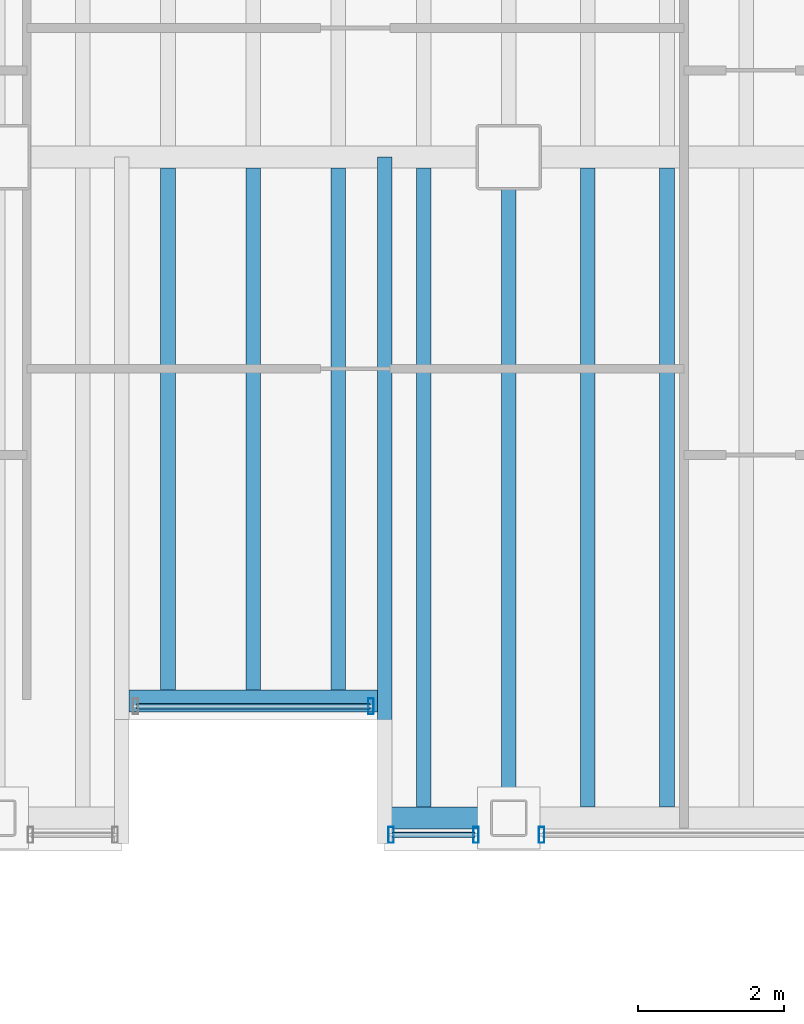
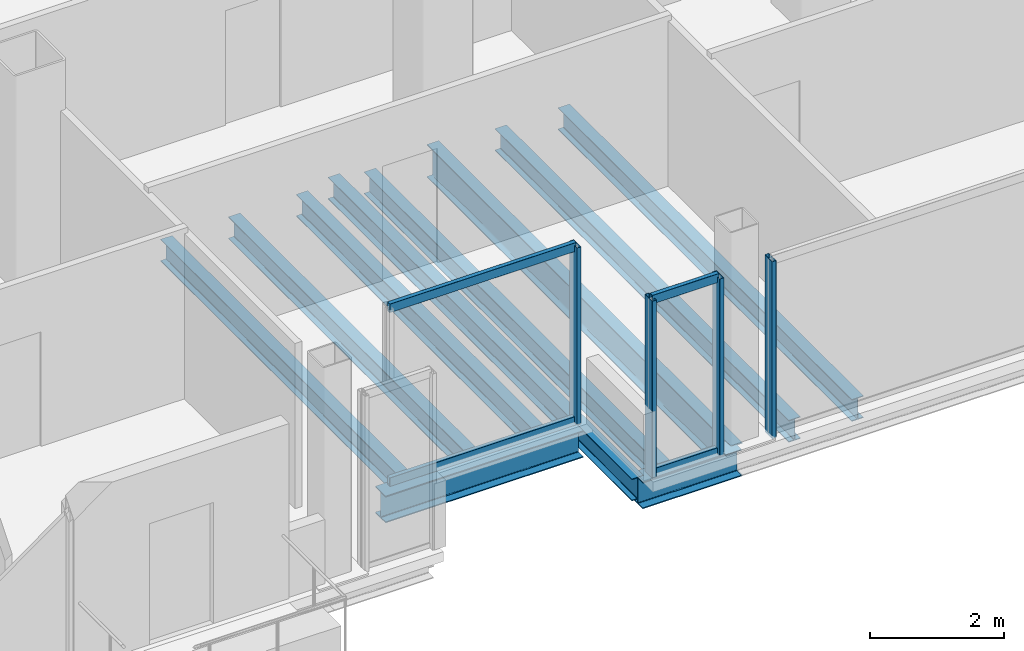
# One storey, part 6 of 22: 10 beams, 8 members, 3 elements without a shape of their own.
"""IFC4 building model written with IfcOpenShell, lengths in metres."""

from ifc_helpers import new_model, si_unit, direction, frame, origin, origin_2d, place, context, subcontext, project, spatial, hollow_rectangle, i_section, extrude, material, material_profile, profile_set, type_object, element, aggregate, save


model = new_model("IFC4")

# Units and contexts
model_context = context("Model", 3, precision=1e-05, world=origin(), true_north=direction((0.0, 1.0)))
body_context = subcontext(model_context, "Body", "Model", "MODEL_VIEW")
ifc_project = project(units=[si_unit("LENGTHUNIT", "METRE"), si_unit("AREAUNIT", "SQUARE_METRE"), si_unit("VOLUMEUNIT", "CUBIC_METRE"), si_unit("PLANEANGLEUNIT", "RADIAN"), si_unit("MASSUNIT", "GRAM", prefix="KILO")], contexts=[model_context])

# Site, building, storey
site_placement = place(None, origin())
site = spatial("IfcSite", under=ifc_project, at=site_placement, CompositionType="ELEMENT")
building_placement = place(site_placement, origin())
building = spatial("IfcBuilding", under=site, at=building_placement, Name="Noeulbin Bourse Tower", CompositionType="ELEMENT")
storey_placement = place(building_placement, frame((0.0, 0.0, 130.5)))
storey = spatial("IfcBuildingStorey", under=building, at=storey_placement, Name="L32", CompositionType="ELEMENT", Elevation=130.5)

# Beams
ifc_material_1 = material(Name="Steel S355", Category="steel")
ifc_material_profile_1 = material_profile(ifc_material_1, i_section(OverallWidth=0.199951171875, OverallDepth=0.60009765625, WebThickness=0.010986328125, FlangeThickness=0.01708984375, FilletRadius=0.02197265625, at=origin_2d()), Name="H-600x200x11x17", Category="LoadBearing")
ifc_profile_set_1 = profile_set([ifc_material_profile_1], Name="Steel S355")
beam_type_1 = type_object("IfcBeamType", Name="BM-GRD-600", PredefinedType="USERDEFINED", material=ifc_profile_set_1)
beam_1_placement = place(storey_placement, frame((31.0, 10.949951171875, -0.47998046875), z_axis=(0.0, 1.0, 0.0), x_axis=(-1.0, 0.0, 0.0)))
element("IfcBeam", 1, at=beam_1_placement, inside=storey, type_object=beam_type_1, Name="Tower Primary Girder NS L32-3.1", ObjectType="GIRDER", PredefinedType="USERDEFINED", context=body_context, shape_type="SweptSolid", body=[
    extrude(i_section(OverallWidth=0.199951171875, OverallDepth=0.60009765625, WebThickness=0.010986328125, FlangeThickness=0.01708984375, FilletRadius=0.02197265625, at=origin_2d()), origin(), (0.0, 0.0, 1.0), 9.050048828125),
])
ifc_material_profile_2 = material_profile(ifc_material_1, i_section(OverallWidth=0.199951171875, OverallDepth=0.39990234375, WebThickness=0.008056640625, FlangeThickness=0.012939453125, FilletRadius=0.01611328125, at=origin_2d()), Name="H-400x200x8x13", Category="LoadBearing")
ifc_profile_set_2 = profile_set([ifc_material_profile_2], Name="Steel S355")
beam_type_2 = type_object("IfcBeamType", Name="BM-SEC-400", PredefinedType="BEAM", material=ifc_profile_set_2)
beam_2_placement = place(storey_placement, frame((29.300048828125, 10.949951171875, -0.3798828125), z_axis=(0.0, 1.0, 0.0), x_axis=(-1.0, 0.0, 0.0)))
element("IfcBeam", 2, at=beam_2_placement, inside=storey, type_object=beam_type_2, Name="BM-L32-SRT-E", PredefinedType="BEAM", context=body_context, shape_type="SweptSolid", body=[
    extrude(i_section(OverallWidth=0.199951171875, OverallDepth=0.39990234375, WebThickness=0.008056640625, FlangeThickness=0.012939453125, FilletRadius=0.01611328125, at=origin_2d()), origin(), (0.0, 0.0, 1.0), 9.050048828125),
])
for number, where, z_axis, x_axis, name in (
    (3, (26.333251953125, 12.699951171875, -0.3798828125), (0.0, 1.0, 0.0), (-1.0, 0.0, 0.0), "Tower Composite Joist L32-19"),
    (4, (27.5, 12.699951171875, -0.3798828125), (0.0, 1.0, 0.0), (-1.0, 0.0, 0.0), "Tower Composite Joist L32-21"),
    (5, (28.666748046875, 12.699951171875, -0.3798828125), (0.0, 1.0, 0.0), (-1.0, 0.0, 0.0), "Tower Composite Joist L32-23"),
):
    element("IfcBeam", number, at=place(storey_placement, frame(where, z_axis=z_axis, x_axis=x_axis)), inside=storey, type_object=beam_type_2, Name=name, PredefinedType="BEAM", context=body_context, shape_type="SweptSolid", body=[
        extrude(i_section(OverallWidth=0.199951171875, OverallDepth=0.39990234375, WebThickness=0.008056640625, FlangeThickness=0.012939453125, FilletRadius=0.01611328125, at=origin_2d()), origin(), (0.0, 0.0, 1.0), 7.150146484375),
    ])
for number, where, z_axis, x_axis, name in (
    (6, (29.833251953125, 11.10009765625, -0.3798828125), (0.0, 1.0, 0.0), (-1.0, 0.0, 0.0), "Tower Composite Joist L32-25"),
    (7, (32.083251953125, 11.10009765625, -0.3798828125), (0.0, 1.0, 0.0), (-1.0, 0.0, 0.0), "Tower Composite Joist L32-27"),
    (8, (33.166748046875, 11.10009765625, -0.3798828125), (0.0, 1.0, 0.0), (-1.0, 0.0, 0.0), "Tower Composite Joist L32-29"),
):
    element("IfcBeam", number, at=place(storey_placement, frame(where, z_axis=z_axis, x_axis=x_axis)), inside=storey, type_object=beam_type_2, Name=name, PredefinedType="BEAM", context=body_context, shape_type="SweptSolid", body=[
        extrude(i_section(OverallWidth=0.199951171875, OverallDepth=0.39990234375, WebThickness=0.008056640625, FlangeThickness=0.012939453125, FilletRadius=0.01611328125, at=origin_2d()), origin(), (0.0, 0.0, 1.0), 8.75),
    ])
ifc_material_profile_3 = material_profile(ifc_material_1, i_section(OverallWidth=0.300048828125, OverallDepth=0.488037109375, WebThickness=0.010986328125, FlangeThickness=0.01806640625, FilletRadius=0.02197265625, at=origin_2d()), Name="H-488x300x11x18", Category="LoadBearing")
ifc_profile_set_3 = profile_set([ifc_material_profile_3], Name="Steel S355")
beam_type_3 = type_object("IfcBeamType", Name="BM-SPN-488", PredefinedType="SPANDREL", material=ifc_profile_set_3)
beam_3_placement = place(storey_placement, frame((25.800048828125, 12.550048828125, -0.424072265625), z_axis=(1.0, 0.0, 0.0), x_axis=(0.0, 1.0, 0.0)))
element("IfcBeam", 9, at=beam_3_placement, inside=storey, type_object=beam_type_3, Name="South Recess Spandrel L32-2B", PredefinedType="SPANDREL", context=body_context, shape_type="SweptSolid", body=[
    extrude(i_section(OverallWidth=0.300048828125, OverallDepth=0.488037109375, WebThickness=0.010986328125, FlangeThickness=0.01806640625, FilletRadius=0.02197265625, at=origin_2d()), origin(), (0.0, 0.0, 1.0), 3.39990234375),
])
beam_4_placement = place(storey_placement, frame((29.300048828125, 10.949951171875, -0.424072265625), z_axis=(1.0, 0.0, 0.0), x_axis=(0.0, 1.0, 0.0)))
element("IfcBeam", 10, at=beam_4_placement, inside=storey, type_object=beam_type_3, Name="South Spandrel L32-2C", PredefinedType="SPANDREL", context=body_context, shape_type="SweptSolid", body=[
    extrude(i_section(OverallWidth=0.300048828125, OverallDepth=0.488037109375, WebThickness=0.010986328125, FlangeThickness=0.01806640625, FilletRadius=0.02197265625, at=origin_2d()), origin(), (0.0, 0.0, 1.0), 1.699951171875),
])

# Curtain wall, member
ifc_material_2 = material(Name="Dark Tinted Triple Glazing", Category="glass")
curtain_wall_type = type_object("IfcCurtainWallType", Name="CW-SYS-3", PredefinedType="NOTDEFINED", material=ifc_material_2)
curtain_wall_1_placement = place(storey_placement, origin())
curtain_wall_1 = element("IfcCurtainWall", 11, at=curtain_wall_1_placement, inside=storey, type_object=curtain_wall_type, Name="Unitised Curtain Wall CW-L32-SREC", PredefinedType="NOTDEFINED")
ifc_material_3 = material(Name="Anodised Aluminium 6063-T6", Category="aluminium")
ifc_material_profile_4 = material_profile(ifc_material_3, hollow_rectangle(XDim=0.074951171875, YDim=0.219970703125, WallThickness=0.0048828125, InnerFilletRadius=0.00244140625, OuterFilletRadius=0.0048828125, at=origin_2d()), Name="ALU-MULL-75x220x5", Category="LoadBearing")
ifc_profile_set_4 = profile_set([ifc_material_profile_4], Name="Anodised Aluminium 6063-T6")
member_type_1 = type_object("IfcMemberType", Name="CW-SYS-3-MUL", PredefinedType="MULLION", material=ifc_profile_set_4)
member_1_placement = place(storey_placement, frame((29.110107421875, 12.47998046875, -0.02001953125), z_axis=(0.0, 0.0, 1.0), x_axis=(1.0, 0.0, 0.0)))
member_1 = element("IfcMember", 12, at=member_1_placement, type_object=member_type_1, Name="Curtain Wall Mullion CW-L32-SREC-M01", PredefinedType="MULLION", context=body_context, shape_type="SweptSolid", body=[
    extrude(hollow_rectangle(XDim=0.074951171875, YDim=0.219970703125, WallThickness=0.0048828125, InnerFilletRadius=0.00244140625, OuterFilletRadius=0.0048828125, at=origin_2d()), origin(), (0.0, 0.0, 1.0), 3.219970703125),
])

# Curtain wall, members
curtain_wall_2_placement = place(storey_placement, origin())
curtain_wall_2 = element("IfcCurtainWall", 13, at=curtain_wall_2_placement, inside=storey, type_object=curtain_wall_type, Name="Unitised Curtain Wall CW-L32-S3-S1", PredefinedType="NOTDEFINED")
member_2_placement = place(storey_placement, frame((29.389892578125, 10.719970703125, -0.02001953125), z_axis=(0.0, 0.0, 1.0), x_axis=(1.0, 0.0, 0.0)))
member_2 = element("IfcMember", 14, at=member_2_placement, type_object=member_type_1, Name="Curtain Wall Mullion CW-L32-S3-S1-M00", PredefinedType="MULLION", context=body_context, shape_type="SweptSolid", body=[
    extrude(hollow_rectangle(XDim=0.074951171875, YDim=0.219970703125, WallThickness=0.0048828125, InnerFilletRadius=0.00244140625, OuterFilletRadius=0.0048828125, at=origin_2d()), origin(), (0.0, 0.0, 1.0), 3.219970703125),
])
member_3_placement = place(storey_placement, frame((30.550048828125, 10.719970703125, -0.02001953125), z_axis=(0.0, 0.0, 1.0), x_axis=(1.0, 0.0, 0.0)))
member_3 = element("IfcMember", 15, at=member_3_placement, type_object=member_type_1, Name="Curtain Wall Mullion CW-L32-S3-S1-M01", PredefinedType="MULLION", context=body_context, shape_type="SweptSolid", body=[
    extrude(hollow_rectangle(XDim=0.074951171875, YDim=0.219970703125, WallThickness=0.0048828125, InnerFilletRadius=0.00244140625, OuterFilletRadius=0.0048828125, at=origin_2d()), origin(), (0.0, 0.0, 1.0), 3.219970703125),
])

# Curtain wall, member
curtain_wall_3_placement = place(storey_placement, origin())
curtain_wall_3 = element("IfcCurtainWall", 16, at=curtain_wall_3_placement, inside=storey, type_object=curtain_wall_type, Name="Unitised Curtain Wall CW-L32-S3-S2", PredefinedType="NOTDEFINED")
member_4_placement = place(storey_placement, frame((31.449951171875, 10.719970703125, -0.02001953125), z_axis=(0.0, 0.0, 1.0), x_axis=(1.0, 0.0, 0.0)))
member_4 = element("IfcMember", 17, at=member_4_placement, type_object=member_type_1, Name="Curtain Wall Mullion CW-L32-S3-S2-M00", PredefinedType="MULLION", context=body_context, shape_type="SweptSolid", body=[
    extrude(hollow_rectangle(XDim=0.074951171875, YDim=0.219970703125, WallThickness=0.0048828125, InnerFilletRadius=0.00244140625, OuterFilletRadius=0.0048828125, at=origin_2d()), origin(), (0.0, 0.0, 1.0), 3.219970703125),
])
aggregate(curtain_wall_3, [member_4])

# Member
ifc_material_profile_5 = material_profile(ifc_material_3, hollow_rectangle(XDim=0.074951171875, YDim=0.159912109375, WallThickness=0.0048828125, InnerFilletRadius=0.00244140625, OuterFilletRadius=0.0048828125, at=origin_2d()), Name="ALU-TRAN-75x160x5", Category="LoadBearing")
ifc_profile_set_5 = profile_set([ifc_material_profile_5], Name="Anodised Aluminium 6063-T6")
member_type_2 = type_object("IfcMemberType", Name="CW-SYS-3-TRN", PredefinedType="USERDEFINED", material=ifc_profile_set_5)
member_5_placement = place(storey_placement, frame((25.89990234375, 12.47998046875, 0.010009765625), z_axis=(1.0, 0.0, 0.0), x_axis=(0.0, 1.0, 0.0)))
member_5 = element("IfcMember", 18, at=member_5_placement, type_object=member_type_2, Name="Curtain Wall Transom CW-L32-SREC-T00", ObjectType="TRANSOM", PredefinedType="USERDEFINED", context=body_context, shape_type="SweptSolid", body=[
    extrude(hollow_rectangle(XDim=0.074951171875, YDim=0.159912109375, WallThickness=0.0048828125, InnerFilletRadius=0.00244140625, OuterFilletRadius=0.0048828125, at=origin_2d()), origin(), (0.0, 0.0, 1.0), 3.2001953125),
])

member_6_placement = place(storey_placement, frame((25.89990234375, 12.47998046875, 3.169921875), z_axis=(1.0, 0.0, 0.0), x_axis=(0.0, 1.0, 0.0)))
member_6 = element("IfcMember", 19, at=member_6_placement, type_object=member_type_2, Name="Curtain Wall Transom CW-L32-SREC-T01", ObjectType="TRANSOM", PredefinedType="USERDEFINED", context=body_context, shape_type="SweptSolid", body=[
    extrude(hollow_rectangle(XDim=0.074951171875, YDim=0.159912109375, WallThickness=0.0048828125, InnerFilletRadius=0.00244140625, OuterFilletRadius=0.0048828125, at=origin_2d()), origin(), (0.0, 0.0, 1.0), 3.2001953125),
])

aggregate(curtain_wall_1, [member_1, member_5, member_6])

member_7_placement = place(storey_placement, frame((29.39990234375, 10.719970703125, 0.010009765625), z_axis=(1.0, 0.0, 0.0), x_axis=(0.0, 1.0, 0.0)))
member_7 = element("IfcMember", 20, at=member_7_placement, type_object=member_type_2, Name="Curtain Wall Transom CW-L32-S3-S1-T00", ObjectType="TRANSOM", PredefinedType="USERDEFINED", context=body_context, shape_type="SweptSolid", body=[
    extrude(hollow_rectangle(XDim=0.074951171875, YDim=0.159912109375, WallThickness=0.0048828125, InnerFilletRadius=0.00244140625, OuterFilletRadius=0.0048828125, at=origin_2d()), origin(), (0.0, 0.0, 1.0), 1.14013671875),
])

member_8_placement = place(storey_placement, frame((29.39990234375, 10.719970703125, 3.169921875), z_axis=(1.0, 0.0, 0.0), x_axis=(0.0, 1.0, 0.0)))
member_8 = element("IfcMember", 21, at=member_8_placement, type_object=member_type_2, Name="Curtain Wall Transom CW-L32-S3-S1-T01", ObjectType="TRANSOM", PredefinedType="USERDEFINED", context=body_context, shape_type="SweptSolid", body=[
    extrude(hollow_rectangle(XDim=0.074951171875, YDim=0.159912109375, WallThickness=0.0048828125, InnerFilletRadius=0.00244140625, OuterFilletRadius=0.0048828125, at=origin_2d()), origin(), (0.0, 0.0, 1.0), 1.14013671875),
])

aggregate(curtain_wall_2, [member_2, member_3, member_7, member_8])

save(model, "model.ifc")
